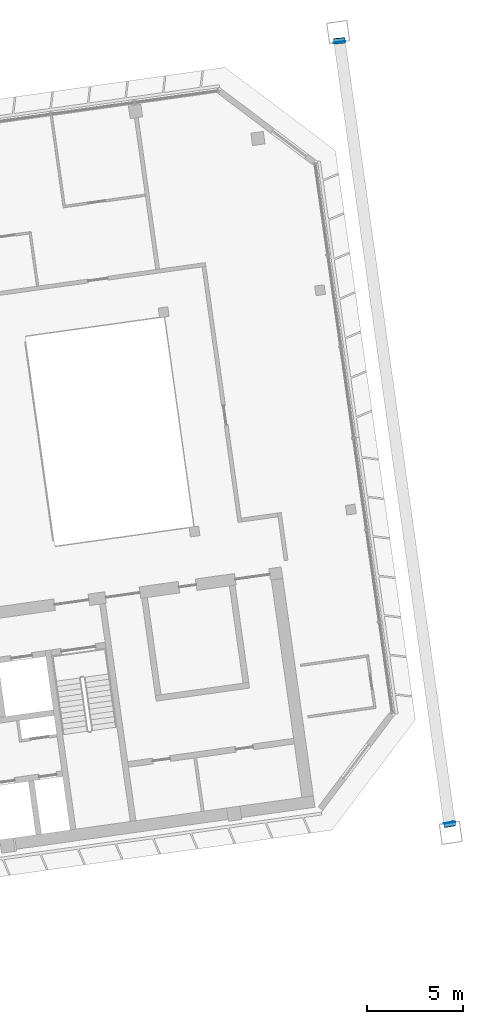
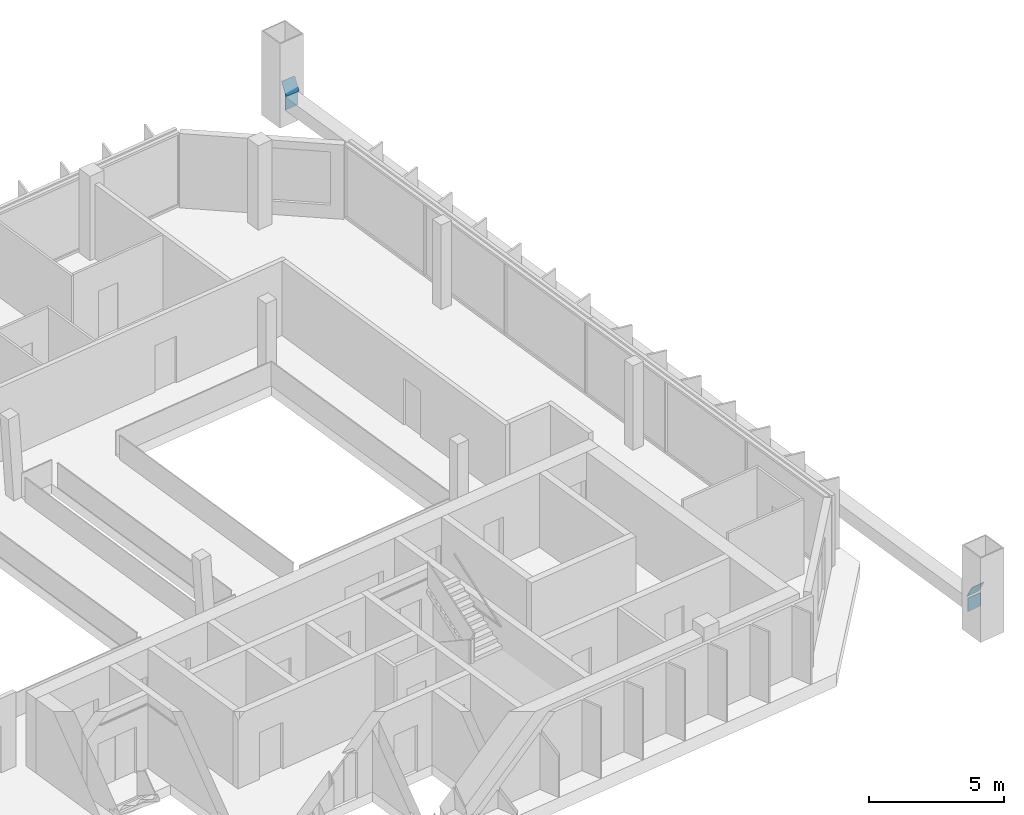
# One storey, part 24 of 26: 4 discrete accessories.
"""IFC4 building model written with IfcOpenShell, lengths in metres."""

from ifc_helpers import new_model, si_unit, direction, frame, origin, origin_2d, place, context, subcontext, project, spatial, rectangle, extrude, material, material_profile, profile_set, type_object, element, save


model = new_model("IFC4")

# Units and contexts
model_context = context("Model", 3, precision=1e-05, world=origin(), true_north=direction((0.0, 1.0)))
body_context = subcontext(model_context, "Body", "Model", "MODEL_VIEW")
ifc_project = project(units=[si_unit("LENGTHUNIT", "METRE"), si_unit("AREAUNIT", "SQUARE_METRE"), si_unit("VOLUMEUNIT", "CUBIC_METRE"), si_unit("PLANEANGLEUNIT", "RADIAN"), si_unit("MASSUNIT", "GRAM", prefix="KILO")], contexts=[model_context])

# Site, building, storey
site_placement = place(None, origin())
site = spatial("IfcSite", under=ifc_project, at=site_placement, CompositionType="ELEMENT")
building_placement = place(site_placement, origin())
building = spatial("IfcBuilding", under=site, at=building_placement, Name="Mirante Cascada Hotel Towers", CompositionType="ELEMENT")
storey_placement = place(building_placement, frame((0.0, 0.0, 235.6)))
storey = spatial("IfcBuildingStorey", under=building, at=storey_placement, Name="L56", CompositionType="ELEMENT", Elevation=235.6)

# Discrete accessories
ifc_material = material(Name="Steel ASTM A572 Gr 50", Category="steel")
ifc_material_profile = material_profile(ifc_material, rectangle(XDim=0.6, YDim=0.6, at=origin_2d()), Name="Connection plate 600x600x25 ASTM A572 Gr 50")
ifc_profile_set = profile_set([ifc_material_profile], Name="Steel ASTM A572 Gr 50")
discrete_accessory_type = type_object("IfcDiscreteAccessoryType", Name="Connection plate 600x600x25 ASTM A572 Gr 50", PredefinedType="BRACKET", material=ifc_profile_set)
for number, where, z_axis, x_axis, name in (
    (1, (70.4906, -17.0605, 1.6086), (-0.1640919, 0.8724887, 0.4602578), (-0.98277, -0.1848329, 0.0), "Connection plate MB-OL56L"),
    (2, (64.7708, 23.6378, 1.6086), (0.0839953, -0.8839505, 0.4599742), (0.9955157, 0.0945965, 0.0), "Connection plate MB-OL56R"),
    (3, (70.4808, -16.9946, 1.0), (-0.1397442, 0.9901876, 0.0), (-0.9901876, -0.1397442, 0.0), "Connection plate NCH"),
):
    element("IfcDiscreteAccessory", number, at=place(storey_placement, frame(where, z_axis=z_axis, x_axis=x_axis)), inside=storey, type_object=discrete_accessory_type, Name=name, PredefinedType="BRACKET", context=body_context, shape_type="SweptSolid", body=[
        extrude(rectangle(XDim=0.6, YDim=0.6, at=origin_2d()), origin(), (0.0, 0.0, 1.0), 0.025),
    ])
discrete_accessory_placement = place(storey_placement, frame((64.7831, 23.547, 1.0), z_axis=(-0.1402989, 0.9901092, 0.0), x_axis=(-0.9901092, -0.1402989, 0.0)))
element("IfcDiscreteAccessory", 4, at=discrete_accessory_placement, inside=storey, type_object=discrete_accessory_type, Name="Connection plate NCH", PredefinedType="BRACKET", context=body_context, shape_type="SweptSolid", body=[
    extrude(rectangle(XDim=0.6, YDim=0.6, at=origin_2d()), origin(), (0.0, 0.0, 1.0), 0.0249),
])

save(model, "model.ifc")
